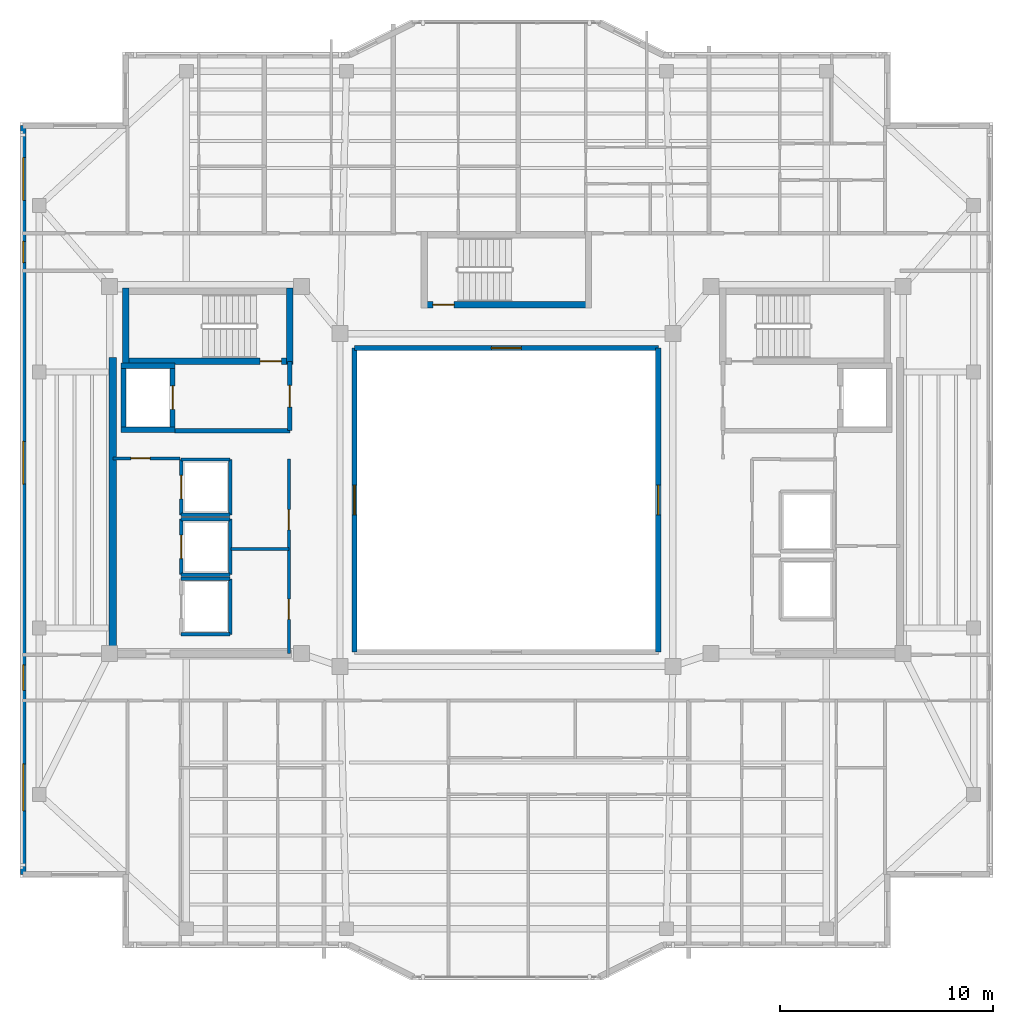
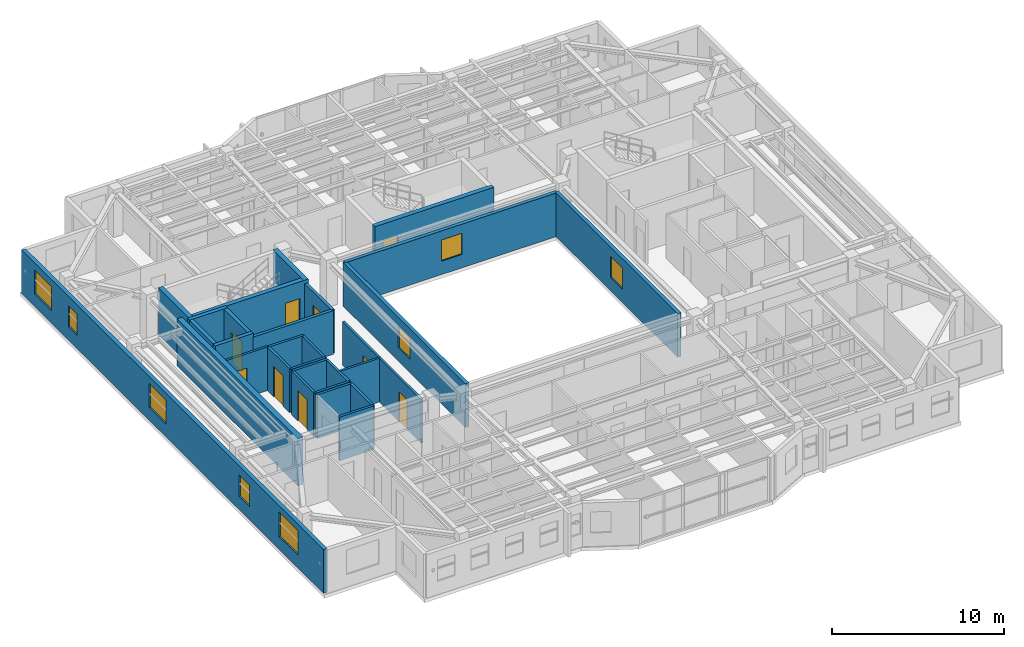
# One storey, part 7 of 14: 29 walls, 9 doors, 8 windows, 17 openings.
"""IFC4 building model written with IfcOpenShell, lengths in metres."""

from ifc_helpers import new_model, si_unit, direction, frame, frame_2d, origin, place, context, subcontext, project, spatial, rectangle, extrude, material, layer, layer_set, type_object, element, fill, save


model = new_model("IFC4")

# Units and contexts
model_context = context("Model", 3, precision=1e-05, world=origin(), true_north=direction((0.0, 1.0)))
body_context = subcontext(model_context, "Body", "Model", "MODEL_VIEW")
ifc_project = project(units=[si_unit("LENGTHUNIT", "METRE"), si_unit("AREAUNIT", "SQUARE_METRE"), si_unit("VOLUMEUNIT", "CUBIC_METRE"), si_unit("PLANEANGLEUNIT", "RADIAN"), si_unit("MASSUNIT", "GRAM", prefix="KILO")], contexts=[model_context])

# Site, building, storey
site_placement = place(None, origin())
site = spatial("IfcSite", under=ifc_project, at=site_placement, CompositionType="ELEMENT")
building_placement = place(site_placement, origin())
building = spatial("IfcBuilding", under=site, at=building_placement, Name="Tarnavaz Court Tower", CompositionType="ELEMENT")
storey_placement = place(building_placement, frame((0.0, 0.0, 261.60009765625)))
storey = spatial("IfcBuildingStorey", under=building, at=storey_placement, Name="L71", CompositionType="ELEMENT", Elevation=261.60009765625)

# Wall
ifc_material_1 = material(Name="Concrete C50/60", Category="concrete")
ifc_layer_1 = layer(ifc_material_1, 0.25)
ifc_layer_set_1 = layer_set([ifc_layer_1], Name="Concrete C50/60")
wall_type_1 = type_object("IfcWallType", Name="WL-CORE-250-C50", PredefinedType="SHEAR", material=ifc_layer_set_1)
wall_1_placement = place(storey_placement, frame((-17.949951171875, 3.175048828125, 0.0), z_axis=(0.0, 0.0, 1.0), x_axis=(0.0, 1.0, 0.0)))
element("IfcWall", 1, at=wall_1_placement, inside=storey, type_object=wall_type_1, Name="L71 Lift FL-W1 Shaft Wall 017", PredefinedType="SHEAR", context=body_context, shape_type="SweptSolid", body=[
    extrude(rectangle(XDim=3.25, YDim=0.25, at=frame_2d((1.625, 0.0))), origin(), (0.0, 0.0, 1.0), 3.349853515625),
])

# Wall, opening, door
wall_2_placement = place(storey_placement, frame((-15.64990234375, 3.175048828125, 0.0), z_axis=(0.0, 0.0, 1.0), x_axis=(0.0, 1.0, 0.0)))
wall_2 = element("IfcWall", 2, at=wall_2_placement, inside=storey, type_object=wall_type_1, Name="L71 Lift FL-W1 Shaft Wall 018", PredefinedType="SHEAR", context=body_context, shape_type="SweptSolid", body=[
    extrude(rectangle(XDim=3.25, YDim=0.25, at=frame_2d((1.625, 0.0))), origin(), (0.0, 0.0, 1.0), 3.349853515625),
])
opening_1_placement = place(wall_2_placement, frame((1.074951171875, 0.0, 0.0)))
opening_1 = element("IfcOpeningElement", 3, at=opening_1_placement, cuts=wall_2, Name="Opening LD1", PredefinedType="OPENING", context=body_context, shape_type="SweptSolid", body=[
    extrude(rectangle(XDim=1.10009765625, YDim=2.14990234375, at=frame_2d((0.550048828125, 1.074951171875))), frame((0.0, 0.135009765625, 0.0), z_axis=(0.0, -1.0, 0.0), x_axis=(1.0, 0.0, 0.0)), (0.0, 0.0, 1.0), 0.27001953125),
])
ifc_material_2 = material(Name="Stainless Steel", Category="steel")
door_type_1 = type_object("IfcDoorType", Name="DR-LD-1100", OperationType="NOTDEFINED", PredefinedType="DOOR", material=ifc_material_2)
door_1_placement = place(opening_1_placement, origin())
door_1 = element("IfcDoor", 4, at=door_1_placement, inside=storey, type_object=door_type_1, Name="L71 Lift Landing Door LD-FL-W1", OperationType="SLIDING_TO_LEFT", OverallHeight=2.14990234375, OverallWidth=1.10009765625, PredefinedType="DOOR", context=body_context, shape_type="SweptSolid", body=[
    extrude(rectangle(XDim=1.10009765625, YDim=2.14990234375, at=frame_2d((0.550048828125, 1.074951171875))), frame((0.0, 0.02490234375, 0.0), z_axis=(0.0, -1.0, 0.0), x_axis=(1.0, 0.0, 0.0)), (0.0, 0.0, 1.0), 0.050048828125),
])
fill(opening_1, door_1)

# Walls
for number, where, z_axis, x_axis, name in (
    (5, (-18.074951171875, 3.300048828125, 0.0), (0.0, 0.0, 1.0), (1.0, 0.0, 0.0), "L71 Lift FL-W1 Shaft Wall 019"),
    (6, (-18.074951171875, 6.300048828125, 0.0), (0.0, 0.0, 1.0), (1.0, 0.0, 0.0), "L71 Lift FL-W1 Shaft Wall 020"),
):
    element("IfcWall", number, at=place(storey_placement, frame(where, z_axis=z_axis, x_axis=x_axis)), inside=storey, type_object=wall_type_1, Name=name, PredefinedType="SHEAR", context=body_context, shape_type="SweptSolid", body=[
        extrude(rectangle(XDim=2.550048828125, YDim=0.25, at=frame_2d((1.27490234375, 0.0))), origin(), (0.0, 0.0, 1.0), 3.349853515625),
    ])

# Wall, opening, door
ifc_layer_2 = layer(ifc_material_1, 0.300048828125)
ifc_layer_set_2 = layer_set([ifc_layer_2], Name="Concrete C50/60")
wall_type_2 = type_object("IfcWallType", Name="WL-CORE-300-C50", PredefinedType="SHEAR", material=ifc_layer_set_2)
wall_3_placement = place(storey_placement, frame((-18.0, 6.5, 0.0), z_axis=(0.0, 0.0, 1.0), x_axis=(1.0, 0.0, 0.0)))
wall_3 = element("IfcWall", 7, at=wall_3_placement, inside=storey, type_object=wall_type_2, Name="L71 West Stair Core Wall 002", PredefinedType="SHEAR", context=body_context, shape_type="SweptSolid", body=[
    extrude(rectangle(XDim=8.0, YDim=0.300048828125, at=frame_2d((4.0, 0.0))), origin(), (0.0, 0.0, 1.0), 3.349853515625),
])
opening_2_placement = place(wall_3_placement, frame((6.449951171875, 0.0, 0.0)))
opening_2 = element("IfcOpeningElement", 8, at=opening_2_placement, cuts=wall_3, Name="Opening D01", PredefinedType="OPENING", context=body_context, shape_type="SweptSolid", body=[
    extrude(rectangle(XDim=1.0, YDim=2.14990234375, at=frame_2d((0.5, 1.074951171875))), frame((0.0, 0.159912109375, 0.0), z_axis=(0.0, -1.0, 0.0), x_axis=(1.0, 0.0, 0.0)), (0.0, 0.0, 1.0), 0.320068359375),
])
ifc_material_3 = material(Name="Fire-Rated Hardwood Timber Core", Category="wood")
door_type_2 = type_object("IfcDoorType", Name="DR-FD90-1000", OperationType="NOTDEFINED", PredefinedType="DOOR", material=ifc_material_3)
door_2_placement = place(opening_2_placement, origin())
door_2 = element("IfcDoor", 9, at=door_2_placement, inside=storey, type_object=door_type_2, Name="L71 Stair ST-W1 Exit Door", OperationType="SINGLE_SWING_LEFT", OverallHeight=2.14990234375, OverallWidth=1.0, PredefinedType="DOOR", context=body_context, shape_type="SweptSolid", body=[
    extrude(rectangle(XDim=1.0, YDim=2.14990234375, at=frame_2d((0.5, 1.074951171875))), frame((0.0, 0.02490234375, 0.0), z_axis=(0.0, -1.0, 0.0), x_axis=(1.0, 0.0, 0.0)), (0.0, 0.0, 1.0), 0.050048828125),
])
fill(opening_2, door_2)

# Walls
for number, where, z_axis, x_axis, name in (
    (10, (-17.85009765625, 6.35009765625, 0.0), (0.0, 0.0, 1.0), (0.0, 1.0, 0.0), "L71 West Stair Core Wall 003"),
    (11, (-10.14990234375, 6.35009765625, 0.0), (0.0, 0.0, 1.0), (0.0, 1.0, 0.0), "L71 West Stair Core Wall 004"),
):
    element("IfcWall", number, at=place(storey_placement, frame(where, z_axis=z_axis, x_axis=x_axis)), inside=storey, type_object=wall_type_2, Name=name, PredefinedType="SHEAR", context=body_context, shape_type="SweptSolid", body=[
        extrude(rectangle(XDim=3.58984375, YDim=0.300048828125, at=frame_2d((1.794921875, 0.0))), origin(), (0.0, 0.0, 1.0), 3.349853515625),
    ])

# Wall, opening, door
wall_4_placement = place(storey_placement, frame((-4.0, 9.14990234375, 0.0), z_axis=(0.0, 0.0, 1.0), x_axis=(1.0, 0.0, 0.0)))
wall_4 = element("IfcWall", 12, at=wall_4_placement, inside=storey, type_object=wall_type_2, Name="L71 North Stair Core Wall 010", PredefinedType="SHEAR", context=body_context, shape_type="SweptSolid", body=[
    extrude(rectangle(XDim=8.0, YDim=0.300048828125, at=frame_2d((4.0, 0.0))), origin(), (0.0, 0.0, 1.0), 3.349853515625),
])
opening_3_placement = place(wall_4_placement, frame((0.550048828125, 0.0, 0.0)))
opening_3 = element("IfcOpeningElement", 13, at=opening_3_placement, cuts=wall_4, Name="Opening D01", PredefinedType="OPENING", context=body_context, shape_type="SweptSolid", body=[
    extrude(rectangle(XDim=1.0, YDim=2.14990234375, at=frame_2d((0.5, 1.074951171875))), frame((0.0, 0.159912109375, 0.0), z_axis=(0.0, -1.0, 0.0), x_axis=(1.0, 0.0, 0.0)), (0.0, 0.0, 1.0), 0.320068359375),
])
door_3_placement = place(opening_3_placement, origin())
door_3 = element("IfcDoor", 14, at=door_3_placement, inside=storey, type_object=door_type_2, Name="L71 Stair ST-N1 Exit Door", OperationType="SINGLE_SWING_LEFT", OverallHeight=2.14990234375, OverallWidth=1.0, PredefinedType="DOOR", context=body_context, shape_type="SweptSolid", body=[
    extrude(rectangle(XDim=1.0, YDim=2.14990234375, at=frame_2d((0.5, 1.074951171875))), frame((0.0, 0.02490234375, 0.0), z_axis=(0.0, -1.0, 0.0), x_axis=(1.0, 0.0, 0.0)), (0.0, 0.0, 1.0), 0.050048828125),
])
fill(opening_3, door_3)

# Wall
ifc_layer_3 = layer(ifc_material_1, 0.35009765625)
ifc_layer_set_3 = layer_set([ifc_layer_3], Name="Concrete C50/60")
wall_type_3 = type_object("IfcWallType", Name="WL-CORE-350-C50", PredefinedType="SHEAR", material=ifc_layer_set_3)
wall_5_placement = place(storey_placement, frame((-18.449951171875, -7.375, 0.0), z_axis=(0.0, 0.0, 1.0), x_axis=(0.0, 1.0, 0.0)))
element("IfcWall", 15, at=wall_5_placement, inside=storey, type_object=wall_type_3, Name="L71 West Core Shear Wall 045", PredefinedType="SHEAR", context=body_context, shape_type="SweptSolid", body=[
    extrude(rectangle(XDim=14.050048828125, YDim=0.35009765625, at=frame_2d((7.02490234375, 0.0))), origin(), (0.0, 0.0, 1.0), 3.349853515625),
])

# Wall, openings, windows
ifc_material_4 = material(Name="Precast Concrete C40/50", Category="concrete")
ifc_layer_4 = layer(ifc_material_4, 0.260009765625)
ifc_layer_set_4 = layer_set([ifc_layer_4], Name="Precast Concrete C40/50")
wall_type_4 = type_object("IfcWallType", Name="WL-EXT-260", PredefinedType="SOLIDWALL", material=ifc_layer_set_4)
wall_6_placement = place(storey_placement, frame((-22.64990234375, -17.550048828125, 0.0), z_axis=(0.0, 0.0, 1.0), x_axis=(0.0, 1.0, 0.0)))
wall_6 = element("IfcWall", 16, at=wall_6_placement, inside=storey, type_object=wall_type_4, Name="L71 Exterior Terracotta Facade Wall 02", PredefinedType="SOLIDWALL", context=body_context, shape_type="SweptSolid", body=[
    extrude(rectangle(XDim=35.10009765625, YDim=0.260009765625, at=frame_2d((17.550048828125, 0.0))), origin(), (0.0, 0.0, 1.0), 3.099853515625),
])
opening_4_placement = place(wall_6_placement, frame((2.97509765625, 0.0, 0.89990234375)))
opening_4 = element("IfcOpeningElement", 17, at=opening_4_placement, cuts=wall_6, Name="Opening W07", PredefinedType="OPENING", context=body_context, shape_type="SweptSolid", body=[
    extrude(rectangle(XDim=2.199951171875, YDim=1.75, at=frame_2d((1.10009765625, 0.875))), frame((0.0, 0.139892578125, 0.0), z_axis=(0.0, -1.0, 0.0), x_axis=(1.0, 0.0, 0.0)), (0.0, 0.0, 1.0), 0.280029296875),
])
opening_5_placement = place(wall_6_placement, frame((8.625, 0.0, 0.949951171875)))
opening_5 = element("IfcOpeningElement", 18, at=opening_5_placement, cuts=wall_6, Name="Opening W05", PredefinedType="OPENING", context=body_context, shape_type="SweptSolid", body=[
    extrude(rectangle(XDim=1.199951171875, YDim=1.5, at=frame_2d((0.60009765625, 0.75))), frame((0.0, 0.139892578125, 0.0), z_axis=(0.0, -1.0, 0.0), x_axis=(1.0, 0.0, 0.0)), (0.0, 0.0, 1.0), 0.280029296875),
])
opening_6_placement = place(wall_6_placement, frame((18.300048828125, 0.0, 0.89990234375)))
opening_6 = element("IfcOpeningElement", 19, at=opening_6_placement, cuts=wall_6, Name="Opening W08", PredefinedType="OPENING", context=body_context, shape_type="SweptSolid", body=[
    extrude(rectangle(XDim=2.0, YDim=1.699951171875, at=frame_2d((1.0, 0.85009765625))), frame((0.0, 0.139892578125, 0.0), z_axis=(0.0, -1.0, 0.0), x_axis=(1.0, 0.0, 0.0)), (0.0, 0.0, 1.0), 0.280029296875),
])
opening_7_placement = place(wall_6_placement, frame((28.675048828125, 0.0, 0.949951171875)))
opening_7 = element("IfcOpeningElement", 20, at=opening_7_placement, cuts=wall_6, Name="Opening W14", PredefinedType="OPENING", context=body_context, shape_type="SweptSolid", body=[
    extrude(rectangle(XDim=1.0, YDim=1.5, at=frame_2d((0.5, 0.75))), frame((0.0, 0.139892578125, 0.0), z_axis=(0.0, -1.0, 0.0), x_axis=(1.0, 0.0, 0.0)), (0.0, 0.0, 1.0), 0.280029296875),
])
opening_8_placement = place(wall_6_placement, frame((31.60009765625, 0.0, 0.89990234375)))
opening_8 = element("IfcOpeningElement", 21, at=opening_8_placement, cuts=wall_6, Name="Opening W08", PredefinedType="OPENING", context=body_context, shape_type="SweptSolid", body=[
    extrude(rectangle(XDim=2.0, YDim=1.699951171875, at=frame_2d((1.0, 0.85009765625))), frame((0.0, 0.139892578125, 0.0), z_axis=(0.0, -1.0, 0.0), x_axis=(1.0, 0.0, 0.0)), (0.0, 0.0, 1.0), 0.280029296875),
])
ifc_material_5 = material(Name="Double-Glazed Solar Low-E Glass", Category="glass")
window_type_1 = type_object("IfcWindowType", Name="WN-APT-1000", PartitioningType="SINGLE_PANEL", PredefinedType="WINDOW", material=ifc_material_5)
window_1_placement = place(opening_7_placement, origin())
window_1 = element("IfcWindow", 22, at=window_1_placement, inside=storey, type_object=window_type_1, Name="L71 North-West Corner Corridor Window", OverallHeight=1.5, OverallWidth=1.0, PartitioningType="SINGLE_PANEL", PredefinedType="WINDOW", context=body_context, shape_type="SweptSolid", body=[
    extrude(rectangle(XDim=1.0, YDim=1.5, at=frame_2d((0.5, 0.75))), frame((0.0, 0.030029296875, 0.0), z_axis=(0.0, -1.0, 0.0), x_axis=(1.0, 0.0, 0.0)), (0.0, 0.0, 1.0), 0.06005859375),
])
fill(opening_7, window_1)
window_type_2 = type_object("IfcWindowType", Name="WN-APT-1200", PartitioningType="SINGLE_PANEL", PredefinedType="WINDOW", material=ifc_material_5)
window_2_placement = place(opening_5_placement, origin())
window_2 = element("IfcWindow", 23, at=window_2_placement, inside=storey, type_object=window_type_2, Name="L71 South-West Corner Corridor Window", OverallHeight=1.5, OverallWidth=1.199951171875, PartitioningType="SINGLE_PANEL", PredefinedType="WINDOW", context=body_context, shape_type="SweptSolid", body=[
    extrude(rectangle(XDim=1.199951171875, YDim=1.5, at=frame_2d((0.60009765625, 0.75))), frame((0.0, 0.030029296875, 0.0), z_axis=(0.0, -1.0, 0.0), x_axis=(1.0, 0.0, 0.0)), (0.0, 0.0, 1.0), 0.06005859375),
])
fill(opening_5, window_2)
window_type_3 = type_object("IfcWindowType", Name="WN-APT-2000", PartitioningType="DOUBLE_PANEL_VERTICAL", PredefinedType="WINDOW", material=ifc_material_5)
window_3_placement = place(opening_6_placement, origin())
window_3 = element("IfcWindow", 24, at=window_3_placement, inside=storey, type_object=window_type_3, Name="L71 West Wing Panoramic Study Gallery Window", OverallHeight=1.699951171875, OverallWidth=2.0, PartitioningType="SINGLE_PANEL", PredefinedType="WINDOW", context=body_context, shape_type="SweptSolid", body=[
    extrude(rectangle(XDim=2.0, YDim=1.699951171875, at=frame_2d((1.0, 0.85009765625))), frame((0.0, 0.030029296875, 0.0), z_axis=(0.0, -1.0, 0.0), x_axis=(1.0, 0.0, 0.0)), (0.0, 0.0, 1.0), 0.06005859375),
])
fill(opening_6, window_3)
window_4_placement = place(opening_8_placement, origin())
window_4 = element("IfcWindow", 25, at=window_4_placement, inside=storey, type_object=window_type_3, Name="L71 North-West Corner Sunroom Study Window", OverallHeight=1.699951171875, OverallWidth=2.0, PartitioningType="SINGLE_PANEL", PredefinedType="WINDOW", context=body_context, shape_type="SweptSolid", body=[
    extrude(rectangle(XDim=2.0, YDim=1.699951171875, at=frame_2d((1.0, 0.85009765625))), frame((0.0, 0.030029296875, 0.0), z_axis=(0.0, -1.0, 0.0), x_axis=(1.0, 0.0, 0.0)), (0.0, 0.0, 1.0), 0.06005859375),
])
fill(opening_8, window_4)
window_type_4 = type_object("IfcWindowType", Name="WN-APT-2200", PartitioningType="TRIPLE_PANEL_VERTICAL", PredefinedType="WINDOW", material=ifc_material_5)
window_5_placement = place(opening_4_placement, origin())
window_5 = element("IfcWindow", 26, at=window_5_placement, inside=storey, type_object=window_type_4, Name="L71 South-West Corner Reading Room Window", OverallHeight=1.75, OverallWidth=2.199951171875, PartitioningType="SINGLE_PANEL", PredefinedType="WINDOW", context=body_context, shape_type="SweptSolid", body=[
    extrude(rectangle(XDim=2.199951171875, YDim=1.75, at=frame_2d((1.10009765625, 0.875))), frame((0.0, 0.030029296875, 0.0), z_axis=(0.0, -1.0, 0.0), x_axis=(1.0, 0.0, 0.0)), (0.0, 0.0, 1.0), 0.06005859375),
])
fill(opening_4, window_5)

# Wall
ifc_material_6 = material(Name="Autoclaved Aerated Concrete Blockwork", Category="masonry")
ifc_layer_5 = layer(ifc_material_6, 0.199951171875)
ifc_layer_set_5 = layer_set([ifc_layer_5], Name="Autoclaved Aerated Concrete Blockwork")
wall_type_5 = type_object("IfcWallType", Name="WL-FIRE-200", PredefinedType="SOLIDWALL", material=ifc_layer_set_5)
wall_7_placement = place(storey_placement, frame((-15.550048828125, 3.25, 0.0), z_axis=(0.0, 0.0, 1.0), x_axis=(1.0, 0.0, 0.0)))
element("IfcWall", 27, at=wall_7_placement, inside=storey, type_object=wall_type_5, Name="L71 West Firefighting Lobby Wall 013", PredefinedType="SOLIDWALL", context=body_context, shape_type="SweptSolid", body=[
    extrude(rectangle(XDim=5.400146484375, YDim=0.199951171875, at=frame_2d((2.7001953125, 0.0))), origin(), (0.0, 0.0, 1.0), 3.099853515625),
])

# Wall, opening, door
wall_8_placement = place(storey_placement, frame((-10.14990234375, 3.25, 0.0), z_axis=(0.0, 0.0, 1.0), x_axis=(0.0, 1.0, 0.0)))
wall_8 = element("IfcWall", 28, at=wall_8_placement, inside=storey, type_object=wall_type_5, Name="L71 West Firefighting Lobby Wall 014", PredefinedType="SOLIDWALL", context=body_context, shape_type="SweptSolid", body=[
    extrude(rectangle(XDim=3.25, YDim=0.199951171875, at=frame_2d((1.625, 0.0))), origin(), (0.0, 0.0, 1.0), 3.099853515625),
])
opening_9_placement = place(wall_8_placement, frame((1.10009765625, 0.0, 0.0)))
opening_9 = element("IfcOpeningElement", 29, at=opening_9_placement, cuts=wall_8, Name="Opening D05", PredefinedType="OPENING", context=body_context, shape_type="SweptSolid", body=[
    extrude(rectangle(XDim=1.02001953125, YDim=2.14990234375, at=frame_2d((0.510009765625, 1.074951171875))), frame((0.0, 0.10986328125, 0.0), z_axis=(0.0, -1.0, 0.0), x_axis=(1.0, 0.0, 0.0)), (0.0, 0.0, 1.0), 0.219970703125),
])
door_type_3 = type_object("IfcDoorType", Name="DR-FD60-1000", OperationType="NOTDEFINED", PredefinedType="DOOR", material=ifc_material_3)
door_4_placement = place(opening_9_placement, origin())
door_4 = element("IfcDoor", 30, at=door_4_placement, inside=storey, type_object=door_type_3, Name="L71 West Firefighting Lobby Door", OperationType="SINGLE_SWING_RIGHT", OverallHeight=2.14990234375, OverallWidth=1.02001953125, PredefinedType="DOOR", context=body_context, shape_type="SweptSolid", body=[
    extrude(rectangle(XDim=1.02001953125, YDim=2.14990234375, at=frame_2d((0.510009765625, 1.074951171875))), frame((0.0, 0.02490234375, 0.0), z_axis=(0.0, -1.0, 0.0), x_axis=(1.0, 0.0, 0.0)), (0.0, 0.0, 1.0), 0.050048828125),
])
fill(opening_9, door_4)

ifc_material_7 = material(Name="Gypsum Plasterboard Acoustic Partition", Category="masonry")
ifc_layer_6 = layer(ifc_material_7, 0.139892578125)
ifc_layer_set_6 = layer_set([ifc_layer_6], Name="Gypsum Plasterboard Acoustic Partition")
wall_type_6 = type_object("IfcWallType", Name="WL-PART-150", PredefinedType="PARTITIONING", material=ifc_layer_set_6)
wall_9_placement = place(storey_placement, frame((-18.449951171875, 1.949951171875, 0.0), z_axis=(0.0, 0.0, 1.0), x_axis=(1.0, 0.0, 0.0)))
wall_9 = element("IfcWall", 31, at=wall_9_placement, inside=storey, type_object=wall_type_6, Name="L71 Interior Partition 049", PredefinedType="PARTITIONING", context=body_context, shape_type="SweptSolid", body=[
    extrude(rectangle(XDim=3.14990234375, YDim=0.139892578125, at=frame_2d((1.574951171875, 0.0))), origin(), (0.0, 0.0, 1.0), 3.099853515625),
])
opening_10_placement = place(wall_9_placement, frame((0.85009765625, 0.0, 0.0)))
opening_10 = element("IfcOpeningElement", 32, at=opening_10_placement, cuts=wall_9, Name="Opening D09", PredefinedType="OPENING", context=body_context, shape_type="SweptSolid", body=[
    extrude(rectangle(XDim=0.89990234375, YDim=2.080078125, at=frame_2d((0.449951171875, 1.0400390625))), frame((0.0, 0.079833984375, 0.0), z_axis=(0.0, -1.0, 0.0), x_axis=(1.0, 0.0, 0.0)), (0.0, 0.0, 1.0), 0.159912109375),
])
door_type_4 = type_object("IfcDoorType", Name="DR-FD30-900", OperationType="NOTDEFINED", PredefinedType="DOOR", material=ifc_material_3)
door_5_placement = place(opening_10_placement, origin())
door_5 = element("IfcDoor", 33, at=door_5_placement, inside=storey, type_object=door_type_4, Name="L71 West Sky Store Door", OperationType="SINGLE_SWING_RIGHT", OverallHeight=2.080078125, OverallWidth=0.89990234375, PredefinedType="DOOR", context=body_context, shape_type="SweptSolid", body=[
    extrude(rectangle(XDim=0.89990234375, YDim=2.080078125, at=frame_2d((0.449951171875, 1.0400390625))), frame((0.0, 0.02490234375, 0.0), z_axis=(0.0, -1.0, 0.0), x_axis=(1.0, 0.0, 0.0)), (0.0, 0.0, 1.0), 0.050048828125),
])
fill(opening_10, door_5)

# Wall, openings, doors
wall_10_placement = place(storey_placement, frame((-10.199951171875, -7.199951171875, 0.0), z_axis=(0.0, 0.0, 1.0), x_axis=(0.0, 1.0, 0.0)))
wall_10 = element("IfcWall", 34, at=wall_10_placement, inside=storey, type_object=wall_type_6, Name="L71 West Reclaimed Core Wall 050", PredefinedType="PARTITIONING", context=body_context, shape_type="SweptSolid", body=[
    extrude(rectangle(XDim=9.119873046875, YDim=0.139892578125, at=frame_2d((4.56005859375, 0.0))), origin(), (0.0, 0.0, 1.0), 3.099853515625),
])
opening_11_placement = place(wall_10_placement, frame((1.60009765625, 0.0, 0.0)))
opening_11 = element("IfcOpeningElement", 35, at=opening_11_placement, cuts=wall_10, Name="Opening D08", PredefinedType="OPENING", context=body_context, shape_type="SweptSolid", body=[
    extrude(rectangle(XDim=0.949951171875, YDim=2.1201171875, at=frame_2d((0.47509765625, 1.06005859375))), frame((0.0, 0.079833984375, 0.0), z_axis=(0.0, -1.0, 0.0), x_axis=(1.0, 0.0, 0.0)), (0.0, 0.0, 1.0), 0.159912109375),
])
opening_12_placement = place(wall_10_placement, frame((5.800048828125, 0.0, 0.0)))
opening_12 = element("IfcOpeningElement", 36, at=opening_12_placement, cuts=wall_10, Name="Opening D08", PredefinedType="OPENING", context=body_context, shape_type="SweptSolid", body=[
    extrude(rectangle(XDim=0.949951171875, YDim=2.1201171875, at=frame_2d((0.47509765625, 1.06005859375))), frame((0.0, 0.079833984375, 0.0), z_axis=(0.0, -1.0, 0.0), x_axis=(1.0, 0.0, 0.0)), (0.0, 0.0, 1.0), 0.159912109375),
])
door_type_5 = type_object("IfcDoorType", Name="DR-FD30-950", OperationType="NOTDEFINED", PredefinedType="DOOR", material=ifc_material_3)
door_6_placement = place(opening_11_placement, origin())
door_6 = element("IfcDoor", 37, at=door_6_placement, inside=storey, type_object=door_type_5, Name="L71 West Study Room Door", OperationType="SINGLE_SWING_LEFT", OverallHeight=2.1201171875, OverallWidth=0.949951171875, PredefinedType="DOOR", context=body_context, shape_type="SweptSolid", body=[
    extrude(rectangle(XDim=0.949951171875, YDim=2.1201171875, at=frame_2d((0.47509765625, 1.06005859375))), frame((0.0, 0.02490234375, 0.0), z_axis=(0.0, -1.0, 0.0), x_axis=(1.0, 0.0, 0.0)), (0.0, 0.0, 1.0), 0.050048828125),
])
fill(opening_11, door_6)
door_7_placement = place(opening_12_placement, origin())
door_7 = element("IfcDoor", 38, at=door_7_placement, inside=storey, type_object=door_type_5, Name="L71 West Laundry Room Door", OperationType="SINGLE_SWING_RIGHT", OverallHeight=2.1201171875, OverallWidth=0.949951171875, PredefinedType="DOOR", context=body_context, shape_type="SweptSolid", body=[
    extrude(rectangle(XDim=0.949951171875, YDim=2.1201171875, at=frame_2d((0.47509765625, 1.06005859375))), frame((0.0, 0.02490234375, 0.0), z_axis=(0.0, -1.0, 0.0), x_axis=(1.0, 0.0, 0.0)), (0.0, 0.0, 1.0), 0.050048828125),
])
fill(opening_12, door_7)

# Walls
wall_11_placement = place(storey_placement, frame((-12.89990234375, -2.300048828125, 0.0), z_axis=(0.0, 0.0, 1.0), x_axis=(1.0, 0.0, 0.0)))
element("IfcWall", 39, at=wall_11_placement, inside=storey, type_object=wall_type_6, Name="L71 Interior Partition 051", PredefinedType="PARTITIONING", context=body_context, shape_type="SweptSolid", body=[
    extrude(rectangle(XDim=2.699951171875, YDim=0.139892578125, at=frame_2d((1.35009765625, 0.0))), origin(), (0.0, 0.0, 1.0), 3.099853515625),
])
ifc_layer_7 = layer(ifc_material_6, 0.159912109375)
ifc_layer_set_7 = layer_set([ifc_layer_7], Name="Autoclaved Aerated Concrete Blockwork")
wall_type_7 = type_object("IfcWallType", Name="WL-SHAFT-150", PredefinedType="SOLIDWALL", material=ifc_layer_set_7)
wall_12_placement = place(storey_placement, frame((-12.949951171875, -6.300048828125, 0.0), z_axis=(0.0, 0.0, 1.0), x_axis=(0.0, 1.0, 0.0)))
element("IfcWall", 40, at=wall_12_placement, inside=storey, type_object=wall_type_7, Name="L71 Lift PL-H1 Shaft Wall 022", PredefinedType="SOLIDWALL", context=body_context, shape_type="SweptSolid", body=[
    extrude(rectangle(XDim=2.60009765625, YDim=0.159912109375, at=frame_2d((1.300048828125, 0.0))), origin(), (0.0, 0.0, 1.0), 3.099853515625),
])
for number, where, z_axis, x_axis, name in (
    (41, (-15.25, -6.300048828125, 0.0), (0.0, 0.0, 1.0), (1.0, 0.0, 0.0), "L71 Lift PL-H1 Shaft Wall 023"),
    (42, (-15.25, -3.699951171875, 0.0), (0.0, 0.0, 1.0), (1.0, 0.0, 0.0), "L71 Lift PL-H1 Shaft Wall 024"),
):
    element("IfcWall", number, at=place(storey_placement, frame(where, z_axis=z_axis, x_axis=x_axis)), inside=storey, type_object=wall_type_7, Name=name, PredefinedType="SOLIDWALL", context=body_context, shape_type="SweptSolid", body=[
        extrude(rectangle(XDim=2.300048828125, YDim=0.159912109375, at=frame_2d((1.14990234375, 0.0))), origin(), (0.0, 0.0, 1.0), 3.099853515625),
    ])

# Wall, opening, door
wall_13_placement = place(storey_placement, frame((-15.25, -3.5, 0.0), z_axis=(0.0, 0.0, 1.0), x_axis=(0.0, 1.0, 0.0)))
wall_13 = element("IfcWall", 43, at=wall_13_placement, inside=storey, type_object=wall_type_7, Name="L71 Lift PL-H2 Shaft Wall 025", PredefinedType="SOLIDWALL", context=body_context, shape_type="SweptSolid", body=[
    extrude(rectangle(XDim=2.60009765625, YDim=0.159912109375, at=frame_2d((1.300048828125, 0.0))), origin(), (0.0, 0.0, 1.0), 3.099853515625),
])
opening_13_placement = place(wall_13_placement, frame((0.75, 0.0, 0.0)))
opening_13 = element("IfcOpeningElement", 44, at=opening_13_placement, cuts=wall_13, Name="Opening LD1", PredefinedType="OPENING", context=body_context, shape_type="SweptSolid", body=[
    extrude(rectangle(XDim=1.10009765625, YDim=2.14990234375, at=frame_2d((0.550048828125, 1.074951171875))), frame((0.0, 0.08984375, 0.0), z_axis=(0.0, -1.0, 0.0), x_axis=(1.0, 0.0, 0.0)), (0.0, 0.0, 1.0), 0.179931640625),
])
door_8_placement = place(opening_13_placement, origin())
door_8 = element("IfcDoor", 45, at=door_8_placement, inside=storey, type_object=door_type_1, Name="L71 Lift Landing Door LD-PL-H2", OperationType="SLIDING_TO_LEFT", OverallHeight=2.14990234375, OverallWidth=1.10009765625, PredefinedType="DOOR", context=body_context, shape_type="SweptSolid", body=[
    extrude(rectangle(XDim=1.10009765625, YDim=2.14990234375, at=frame_2d((0.550048828125, 1.074951171875))), frame((0.0, 0.02490234375, 0.0), z_axis=(0.0, -1.0, 0.0), x_axis=(1.0, 0.0, 0.0)), (0.0, 0.0, 1.0), 0.050048828125),
])
fill(opening_13, door_8)

# Walls
wall_14_placement = place(storey_placement, frame((-12.949951171875, -3.5, 0.0), z_axis=(0.0, 0.0, 1.0), x_axis=(0.0, 1.0, 0.0)))
element("IfcWall", 46, at=wall_14_placement, inside=storey, type_object=wall_type_7, Name="L71 Lift PL-H2 Shaft Wall 026", PredefinedType="SOLIDWALL", context=body_context, shape_type="SweptSolid", body=[
    extrude(rectangle(XDim=2.60009765625, YDim=0.159912109375, at=frame_2d((1.300048828125, 0.0))), origin(), (0.0, 0.0, 1.0), 3.099853515625),
])
for number, where, z_axis, x_axis, name in (
    (47, (-15.25, -3.5, 0.0), (0.0, 0.0, 1.0), (1.0, 0.0, 0.0), "L71 Lift PL-H2 Shaft Wall 027"),
    (48, (-15.25, -0.89990234375, 0.0), (0.0, 0.0, 1.0), (1.0, 0.0, 0.0), "L71 Lift PL-H2 Shaft Wall 028"),
):
    element("IfcWall", number, at=place(storey_placement, frame(where, z_axis=z_axis, x_axis=x_axis)), inside=storey, type_object=wall_type_7, Name=name, PredefinedType="SOLIDWALL", context=body_context, shape_type="SweptSolid", body=[
        extrude(rectangle(XDim=2.300048828125, YDim=0.159912109375, at=frame_2d((1.14990234375, 0.0))), origin(), (0.0, 0.0, 1.0), 3.099853515625),
    ])

# Wall, opening, door
wall_15_placement = place(storey_placement, frame((-15.25, -0.699951171875, 0.0), z_axis=(0.0, 0.0, 1.0), x_axis=(0.0, 1.0, 0.0)))
wall_15 = element("IfcWall", 49, at=wall_15_placement, inside=storey, type_object=wall_type_7, Name="L71 Lift PL-H3 Shaft Wall 029", PredefinedType="SOLIDWALL", context=body_context, shape_type="SweptSolid", body=[
    extrude(rectangle(XDim=2.599853515625, YDim=0.159912109375, at=frame_2d((1.2998046875, 0.0))), origin(), (0.0, 0.0, 1.0), 3.099853515625),
])
opening_14_placement = place(wall_15_placement, frame((0.75, 0.0, 0.0)))
opening_14 = element("IfcOpeningElement", 50, at=opening_14_placement, cuts=wall_15, Name="Opening LD1", PredefinedType="OPENING", context=body_context, shape_type="SweptSolid", body=[
    extrude(rectangle(XDim=1.10009765625, YDim=2.14990234375, at=frame_2d((0.550048828125, 1.074951171875))), frame((0.0, 0.08984375, 0.0), z_axis=(0.0, -1.0, 0.0), x_axis=(1.0, 0.0, 0.0)), (0.0, 0.0, 1.0), 0.179931640625),
])
door_9_placement = place(opening_14_placement, origin())
door_9 = element("IfcDoor", 51, at=door_9_placement, inside=storey, type_object=door_type_1, Name="L71 Lift Landing Door LD-PL-H3", OperationType="SLIDING_TO_LEFT", OverallHeight=2.14990234375, OverallWidth=1.10009765625, PredefinedType="DOOR", context=body_context, shape_type="SweptSolid", body=[
    extrude(rectangle(XDim=1.10009765625, YDim=2.14990234375, at=frame_2d((0.550048828125, 1.074951171875))), frame((0.0, 0.02490234375, 0.0), z_axis=(0.0, -1.0, 0.0), x_axis=(1.0, 0.0, 0.0)), (0.0, 0.0, 1.0), 0.050048828125),
])
fill(opening_14, door_9)

# Walls
wall_16_placement = place(storey_placement, frame((-12.949951171875, -0.699951171875, 0.0), z_axis=(0.0, 0.0, 1.0), x_axis=(0.0, 1.0, 0.0)))
element("IfcWall", 52, at=wall_16_placement, inside=storey, type_object=wall_type_7, Name="L71 Lift PL-H3 Shaft Wall 030", PredefinedType="SOLIDWALL", context=body_context, shape_type="SweptSolid", body=[
    extrude(rectangle(XDim=2.599853515625, YDim=0.159912109375, at=frame_2d((1.2998046875, 0.0))), origin(), (0.0, 0.0, 1.0), 3.099853515625),
])
for number, where, z_axis, x_axis, name in (
    (53, (-15.25, -0.699951171875, 0.0), (0.0, 0.0, 1.0), (1.0, 0.0, 0.0), "L71 Lift PL-H3 Shaft Wall 031"),
    (54, (-15.25, 1.89990234375, 0.0), (0.0, 0.0, 1.0), (1.0, 0.0, 0.0), "L71 Lift PL-H3 Shaft Wall 032"),
):
    element("IfcWall", number, at=place(storey_placement, frame(where, z_axis=z_axis, x_axis=x_axis)), inside=storey, type_object=wall_type_7, Name=name, PredefinedType="SOLIDWALL", context=body_context, shape_type="SweptSolid", body=[
        extrude(rectangle(XDim=2.300048828125, YDim=0.159912109375, at=frame_2d((1.14990234375, 0.0))), origin(), (0.0, 0.0, 1.0), 3.099853515625),
    ])

# Wall, opening, window
ifc_layer_8 = layer(ifc_material_4, 0.239990234375)
ifc_layer_set_8 = layer_set([ifc_layer_8], Name="Precast Concrete C40/50")
wall_type_8 = type_object("IfcWallType", Name="WL-WELL-240", PredefinedType="SOLIDWALL", material=ifc_layer_set_8)
wall_17_placement = place(storey_placement, frame((7.1201171875, -7.1201171875, 0.0), z_axis=(0.0, 0.0, 1.0), x_axis=(0.0, 1.0, 0.0)))
wall_17 = element("IfcWall", 55, at=wall_17_placement, inside=storey, type_object=wall_type_8, Name="L71 Badgir Light-Well Exterior Wall E", PredefinedType="SOLIDWALL", context=body_context, shape_type="SweptSolid", body=[
    extrude(rectangle(XDim=14.240234375, YDim=0.239990234375, at=frame_2d((7.1201171875, 0.0))), origin(), (0.0, 0.0, 1.0), 3.099853515625),
])
opening_15_placement = place(wall_17_placement, frame((6.419921875, 0.0, 0.949951171875)))
opening_15 = element("IfcOpeningElement", 56, at=opening_15_placement, cuts=wall_17, Name="Opening W13", PredefinedType="OPENING", context=body_context, shape_type="SweptSolid", body=[
    extrude(rectangle(XDim=1.39990234375, YDim=1.5, at=frame_2d((0.699951171875, 0.75))), frame((0.0, 0.1298828125, 0.0), z_axis=(0.0, -1.0, 0.0), x_axis=(1.0, 0.0, 0.0)), (0.0, 0.0, 1.0), 0.260009765625),
])
window_type_5 = type_object("IfcWindowType", Name="WN-WEL-1400", PartitioningType="SINGLE_PANEL", PredefinedType="WINDOW", material=ifc_material_5)
window_6_placement = place(opening_15_placement, origin())
window_6 = element("IfcWindow", 57, at=window_6_placement, inside=storey, type_object=window_type_5, Name="L71 Courtyard Gallery Window E", OverallHeight=1.5, OverallWidth=1.39990234375, PartitioningType="SINGLE_PANEL", PredefinedType="WINDOW", context=body_context, shape_type="SweptSolid", body=[
    extrude(rectangle(XDim=1.39990234375, YDim=1.5, at=frame_2d((0.699951171875, 0.75))), frame((0.0, 0.030029296875, 0.0), z_axis=(0.0, -1.0, 0.0), x_axis=(1.0, 0.0, 0.0)), (0.0, 0.0, 1.0), 0.06005859375),
])
fill(opening_15, window_6)

wall_18_placement = place(storey_placement, frame((7.1201171875, 7.1201171875, 0.0), z_axis=(0.0, 0.0, 1.0), x_axis=(-1.0, 0.0, 0.0)))
wall_18 = element("IfcWall", 58, at=wall_18_placement, inside=storey, type_object=wall_type_8, Name="L71 Badgir Light-Well Exterior Wall N", PredefinedType="SOLIDWALL", context=body_context, shape_type="SweptSolid", body=[
    extrude(rectangle(XDim=14.240234375, YDim=0.239990234375, at=frame_2d((7.1201171875, 0.0))), origin(), (0.0, 0.0, 1.0), 3.099853515625),
])
opening_16_placement = place(wall_18_placement, frame((6.419921875, 0.0, 0.949951171875)))
opening_16 = element("IfcOpeningElement", 59, at=opening_16_placement, cuts=wall_18, Name="Opening W13", PredefinedType="OPENING", context=body_context, shape_type="SweptSolid", body=[
    extrude(rectangle(XDim=1.39990234375, YDim=1.5, at=frame_2d((0.699951171875, 0.75))), frame((0.0, 0.1298828125, 0.0), z_axis=(0.0, -1.0, 0.0), x_axis=(1.0, 0.0, 0.0)), (0.0, 0.0, 1.0), 0.260009765625),
])
window_7_placement = place(opening_16_placement, origin())
window_7 = element("IfcWindow", 60, at=window_7_placement, inside=storey, type_object=window_type_5, Name="L71 Courtyard Gallery Window N", OverallHeight=1.5, OverallWidth=1.39990234375, PartitioningType="SINGLE_PANEL", PredefinedType="WINDOW", context=body_context, shape_type="SweptSolid", body=[
    extrude(rectangle(XDim=1.39990234375, YDim=1.5, at=frame_2d((0.699951171875, 0.75))), frame((0.0, 0.030029296875, 0.0), z_axis=(0.0, -1.0, 0.0), x_axis=(1.0, 0.0, 0.0)), (0.0, 0.0, 1.0), 0.06005859375),
])
fill(opening_16, window_7)

wall_19_placement = place(storey_placement, frame((-7.1201171875, 7.1201171875, 0.0), z_axis=(0.0, 0.0, 1.0), x_axis=(0.0, -1.0, 0.0)))
wall_19 = element("IfcWall", 61, at=wall_19_placement, inside=storey, type_object=wall_type_8, Name="L71 Badgir Light-Well Exterior Wall W", PredefinedType="SOLIDWALL", context=body_context, shape_type="SweptSolid", body=[
    extrude(rectangle(XDim=14.240234375, YDim=0.239990234375, at=frame_2d((7.1201171875, 0.0))), origin(), (0.0, 0.0, 1.0), 3.099853515625),
])
opening_17_placement = place(wall_19_placement, frame((6.419921875, 0.0, 0.949951171875)))
opening_17 = element("IfcOpeningElement", 62, at=opening_17_placement, cuts=wall_19, Name="Opening W13", PredefinedType="OPENING", context=body_context, shape_type="SweptSolid", body=[
    extrude(rectangle(XDim=1.39990234375, YDim=1.5, at=frame_2d((0.699951171875, 0.75))), frame((0.0, 0.1298828125, 0.0), z_axis=(0.0, -1.0, 0.0), x_axis=(1.0, 0.0, 0.0)), (0.0, 0.0, 1.0), 0.260009765625),
])
window_8_placement = place(opening_17_placement, origin())
window_8 = element("IfcWindow", 63, at=window_8_placement, inside=storey, type_object=window_type_5, Name="L71 Courtyard Gallery Window W", OverallHeight=1.5, OverallWidth=1.39990234375, PartitioningType="SINGLE_PANEL", PredefinedType="WINDOW", context=body_context, shape_type="SweptSolid", body=[
    extrude(rectangle(XDim=1.39990234375, YDim=1.5, at=frame_2d((0.699951171875, 0.75))), frame((0.0, 0.030029296875, 0.0), z_axis=(0.0, -1.0, 0.0), x_axis=(1.0, 0.0, 0.0)), (0.0, 0.0, 1.0), 0.06005859375),
])
fill(opening_17, window_8)

save(model, "model.ifc")
